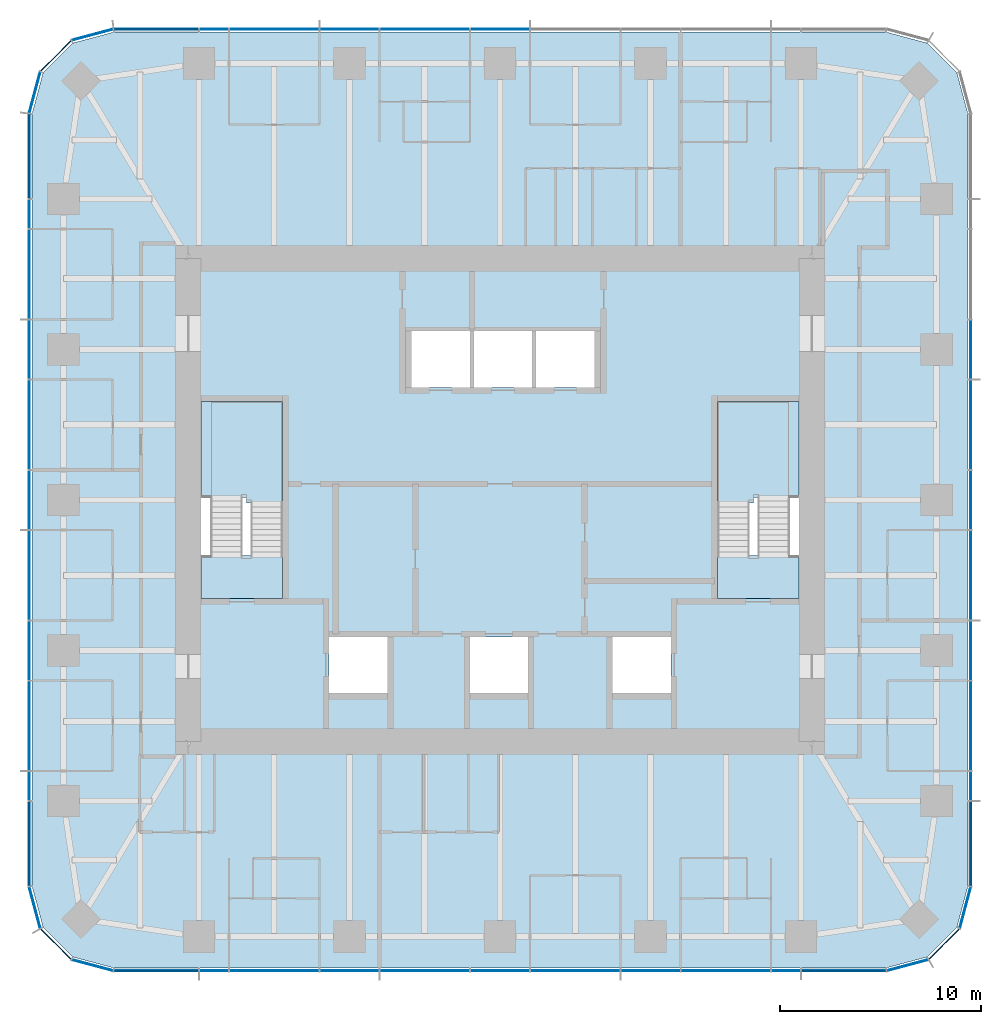
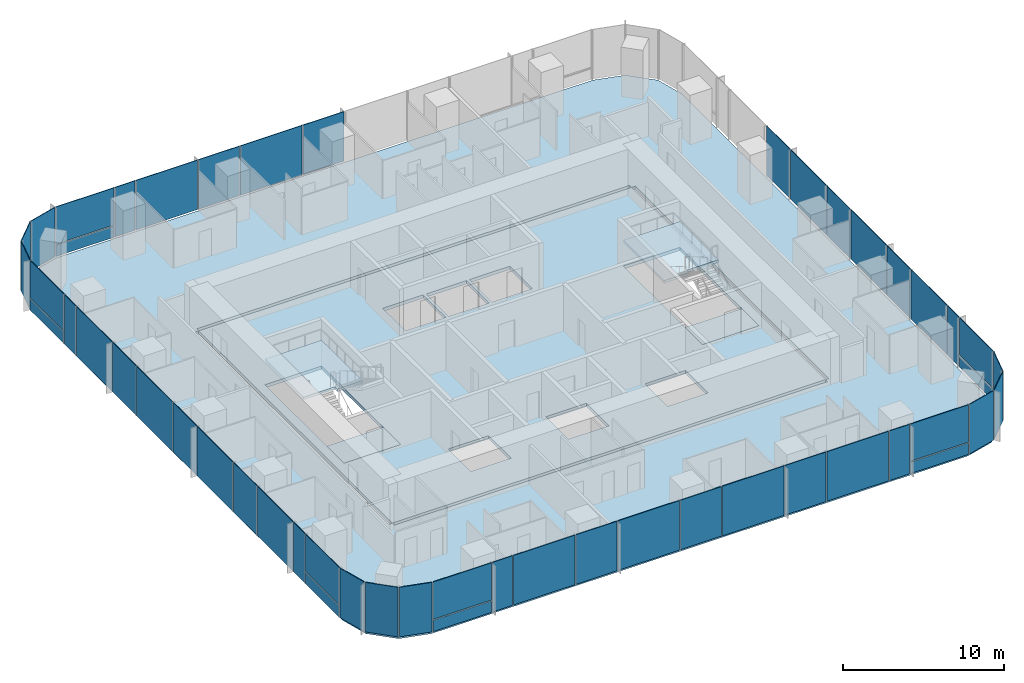
# One storey, part 7 of 12: 51 plates, 6 slabs, 9 elements without a shape of their own.
"""IFC4 building model written with IfcOpenShell, lengths in metres."""

from ifc_helpers import new_model, si_unit, direction, frame, origin, origin_2d, place, context, subcontext, project, spatial, polyline, rectangle, outline, extrude, material, layer, layer_set, type_object, element, aggregate, save


model = new_model("IFC4")

# Units and contexts
model_context = context("Model", 3, precision=1e-05, world=origin(), true_north=direction((0.0, 1.0)))
body_context = subcontext(model_context, "Body", "Model", "MODEL_VIEW")
ifc_project = project(units=[si_unit("LENGTHUNIT", "METRE"), si_unit("AREAUNIT", "SQUARE_METRE"), si_unit("VOLUMEUNIT", "CUBIC_METRE"), si_unit("PLANEANGLEUNIT", "RADIAN"), si_unit("MASSUNIT", "GRAM", prefix="KILO")], contexts=[model_context])

# Site, building, storey
site_placement = place(None, origin())
site = spatial("IfcSite", under=ifc_project, at=site_placement, CompositionType="ELEMENT")
building_placement = place(site_placement, origin())
building = spatial("IfcBuilding", under=site, at=building_placement, Name="Khuree Lantern Residences", CompositionType="ELEMENT")
storey_placement = place(building_placement, frame((0.0, 0.0, 319.5)))
storey = spatial("IfcBuildingStorey", under=building, at=storey_placement, Name="L80", CompositionType="ELEMENT", Elevation=319.5)

# Slab
ifc_material_1 = material(Name="Concrete C35/45", Category="concrete")
ifc_layer_1 = layer(ifc_material_1, 0.25)
ifc_layer_set_1 = layer_set([ifc_layer_1], Name="CFL250 CORE FLOOR SLAB 250")
slab_type_1 = type_object("IfcSlabType", Name="CFL250 CORE FLOOR SLAB 250", PredefinedType="FLOOR", material=ifc_layer_set_1)
slab_1_placement = place(storey_placement, frame((0.0, 0.0, -0.25)))
element("IfcSlab", 1, at=slab_1_placement, inside=storey, type_object=slab_type_1, Name="Core floor L80", PredefinedType="FLOOR", context=body_context, shape_type="SweptSolid", body=[
    extrude(outline(polyline([(-15.5, -12.0), (-15.5, 12.0), (15.5, 12.0), (15.5, -12.0), (-15.5, -12.0)]), holes=[polyline([(10.800048828125, 4.89990234375), (10.800048828125, -4.89990234375), (14.85009765625, -4.89990234375), (14.85009765625, 4.89990234375), (10.800048828125, 4.89990234375)]), polyline([(5.60009765625, -6.800048828125), (5.60009765625, -9.60009765625), (8.5, -9.60009765625), (8.5, -6.800048828125), (5.60009765625, -6.800048828125)]), polyline([(1.800048828125, 8.39990234375), (1.800048828125, 5.60009765625), (4.699951171875, 5.60009765625), (4.699951171875, 8.39990234375), (1.800048828125, 8.39990234375)]), polyline([(-1.300048828125, 8.39990234375), (-1.300048828125, 5.60009765625), (1.60009765625, 5.60009765625), (1.60009765625, 8.39990234375), (-1.300048828125, 8.39990234375)]), polyline([(-1.5, -6.800048828125), (-1.5, -9.60009765625), (1.39990234375, -9.60009765625), (1.39990234375, -6.800048828125), (-1.5, -6.800048828125)]), polyline([(-4.39990234375, 8.39990234375), (-4.39990234375, 5.60009765625), (-1.5, 5.60009765625), (-1.5, 8.39990234375), (-4.39990234375, 8.39990234375)]), polyline([(-8.5, -6.800048828125), (-8.5, -9.60009765625), (-5.60009765625, -9.60009765625), (-5.60009765625, -6.800048828125), (-8.5, -6.800048828125)]), polyline([(-14.85009765625, 4.89990234375), (-14.85009765625, -4.89990234375), (-10.800048828125, -4.89990234375), (-10.800048828125, 4.89990234375), (-14.85009765625, 4.89990234375)])]), origin(), (0.0, 0.0, 1.0), 0.25),
])

# Curtain wall, plates
ifc_material_2 = material(Name="Bronze anodised aluminium", Category="aluminium")
curtain_wall_type_1 = type_object("IfcCurtainWallType", Name="CW-T2 TOWER CORNER CURTAIN WALL", PredefinedType="USERDEFINED", material=ifc_material_2)
curtain_wall_1_placement = place(storey_placement, origin())
curtain_wall_1 = element("IfcCurtainWall", 2, at=curtain_wall_1_placement, inside=storey, type_object=curtain_wall_type_1, Name="L80 SOUTH-EAST CORNER CURTAIN WALL", ObjectType="Faceted corner curtain wall", PredefinedType="USERDEFINED")
ifc_material_3 = material(Name="Bronze tinted triple glazing", Category="glass")
ifc_layer_2 = layer(ifc_material_3, 0.048095703125)
ifc_layer_set_2 = layer_set([ifc_layer_2], Name="FACET PANEL P4")
plate_type_1 = type_object("IfcPlateType", Name="FACET PANEL P4", PredefinedType="CURTAIN_PANEL", material=ifc_layer_set_2)
plate_1_placement = place(storey_placement, frame((20.248046875, -23.119140625, 0.0), z_axis=(0.0, 0.0, 1.0), x_axis=(0.965925861257, 0.2588189146, 0.0)))
plate_1 = element("IfcPlate", 3, at=plate_1_placement, type_object=plate_type_1, Name="L80 SOUTH-EAST CORNER PANEL 1.1", PredefinedType="CURTAIN_PANEL", context=body_context, shape_type="SweptSolid", body=[
    extrude(rectangle(XDim=2.09814453125, YDim=0.048095703125, at=origin_2d()), origin(), (0.0, 0.0, 1.0), 3.75),
])
plate_2_placement = place(storey_placement, frame((22.068603515625, -22.068603515625, 0.0), z_axis=(0.0, 0.0, 1.0), x_axis=(0.707106781187, 0.707106781187, 0.0)))
plate_2 = element("IfcPlate", 4, at=plate_2_placement, type_object=plate_type_1, Name="L80 SOUTH-EAST CORNER PANEL 2.1", PredefinedType="CURTAIN_PANEL", context=body_context, shape_type="SweptSolid", body=[
    extrude(rectangle(XDim=2.093994140625, YDim=0.048095703125, at=origin_2d()), origin(), (0.0, 0.0, 1.0), 3.75),
])
plate_3_placement = place(storey_placement, frame((23.119140625, -20.248046875, 0.0), z_axis=(0.0, 0.0, 1.0), x_axis=(0.2588189146, 0.965925861257, 0.0)))
plate_3 = element("IfcPlate", 5, at=plate_3_placement, type_object=plate_type_1, Name="L80 SOUTH-EAST CORNER PANEL 3.1", PredefinedType="CURTAIN_PANEL", context=body_context, shape_type="SweptSolid", body=[
    extrude(rectangle(XDim=2.09814453125, YDim=0.048095703125, at=origin_2d()), origin(), (0.0, 0.0, 1.0), 3.75),
])
aggregate(curtain_wall_1, [plate_1, plate_2, plate_3])

curtain_wall_2_placement = place(storey_placement, origin())
curtain_wall_2 = element("IfcCurtainWall", 6, at=curtain_wall_2_placement, inside=storey, type_object=curtain_wall_type_1, Name="L80 NORTH-WEST CORNER CURTAIN WALL", ObjectType="Faceted corner curtain wall", PredefinedType="USERDEFINED")
plate_4_placement = place(storey_placement, frame((-20.248046875, 23.119140625, 0.0), z_axis=(0.0, 0.0, 1.0), x_axis=(-0.965925861257, -0.2588189146, 0.0)))
plate_4 = element("IfcPlate", 7, at=plate_4_placement, type_object=plate_type_1, Name="L80 NORTH-WEST CORNER PANEL 29.1", PredefinedType="CURTAIN_PANEL", context=body_context, shape_type="SweptSolid", body=[
    extrude(rectangle(XDim=2.09814453125, YDim=0.048095703125, at=origin_2d()), origin(), (0.0, 0.0, 1.0), 3.75),
])
plate_5_placement = place(storey_placement, frame((-22.068603515625, 22.068603515625, 0.0), z_axis=(0.0, 0.0, 1.0), x_axis=(-0.707106781187, -0.707106781187, 0.0)))
plate_5 = element("IfcPlate", 8, at=plate_5_placement, type_object=plate_type_1, Name="L80 NORTH-WEST CORNER PANEL 30.1", PredefinedType="CURTAIN_PANEL", context=body_context, shape_type="SweptSolid", body=[
    extrude(rectangle(XDim=2.093994140625, YDim=0.048095703125, at=origin_2d()), origin(), (0.0, 0.0, 1.0), 3.75),
])
plate_6_placement = place(storey_placement, frame((-23.119140625, 20.248046875, 0.0), z_axis=(0.0, 0.0, 1.0), x_axis=(-0.2588189146, -0.965925861257, 0.0)))
plate_6 = element("IfcPlate", 9, at=plate_6_placement, type_object=plate_type_1, Name="L80 NORTH-WEST CORNER PANEL 31.1", PredefinedType="CURTAIN_PANEL", context=body_context, shape_type="SweptSolid", body=[
    extrude(rectangle(XDim=2.09814453125, YDim=0.048095703125, at=origin_2d()), origin(), (0.0, 0.0, 1.0), 3.75),
])
aggregate(curtain_wall_2, [plate_4, plate_5, plate_6])

curtain_wall_3_placement = place(storey_placement, origin())
curtain_wall_3 = element("IfcCurtainWall", 10, at=curtain_wall_3_placement, inside=storey, type_object=curtain_wall_type_1, Name="L80 SOUTH-WEST CORNER CURTAIN WALL", ObjectType="Faceted corner curtain wall", PredefinedType="USERDEFINED")
plate_7_placement = place(storey_placement, frame((-23.119140625, -20.248046875, 0.0), z_axis=(0.0, 0.0, 1.0), x_axis=(0.2588189146, -0.965925861257, 0.0)))
plate_7 = element("IfcPlate", 11, at=plate_7_placement, type_object=plate_type_1, Name="L80 SOUTH-WEST CORNER PANEL 43.1", PredefinedType="CURTAIN_PANEL", context=body_context, shape_type="SweptSolid", body=[
    extrude(rectangle(XDim=2.09814453125, YDim=0.048095703125, at=origin_2d()), origin(), (0.0, 0.0, 1.0), 3.75),
])
plate_8_placement = place(storey_placement, frame((-22.068603515625, -22.068603515625, 0.0), z_axis=(0.0, 0.0, 1.0), x_axis=(0.707106781187, -0.707106781187, 0.0)))
plate_8 = element("IfcPlate", 12, at=plate_8_placement, type_object=plate_type_1, Name="L80 SOUTH-WEST CORNER PANEL 44.1", PredefinedType="CURTAIN_PANEL", context=body_context, shape_type="SweptSolid", body=[
    extrude(rectangle(XDim=2.093994140625, YDim=0.048095703125, at=origin_2d()), origin(), (0.0, 0.0, 1.0), 3.75),
])
plate_9_placement = place(storey_placement, frame((-20.248046875, -23.119140625, 0.0), z_axis=(0.0, 0.0, 1.0), x_axis=(0.965925861257, -0.2588189146, 0.0)))
plate_9 = element("IfcPlate", 13, at=plate_9_placement, type_object=plate_type_1, Name="L80 SOUTH-WEST CORNER PANEL 45.1", PredefinedType="CURTAIN_PANEL", context=body_context, shape_type="SweptSolid", body=[
    extrude(rectangle(XDim=2.09814453125, YDim=0.048095703125, at=origin_2d()), origin(), (0.0, 0.0, 1.0), 3.75),
])
aggregate(curtain_wall_3, [plate_7, plate_8, plate_9])

curtain_wall_type_2 = type_object("IfcCurtainWallType", Name="CW-T1 TOWER FACE CURTAIN WALL", PredefinedType="USERDEFINED", material=ifc_material_2)
curtain_wall_4_placement = place(storey_placement, origin())
curtain_wall_4 = element("IfcCurtainWall", 14, at=curtain_wall_4_placement, inside=storey, type_object=curtain_wall_type_2, Name="L80 EAST FACE CURTAIN WALL", ObjectType="Stick-built curtain wall", PredefinedType="USERDEFINED")
ifc_material_4 = material(Name="Bronze tinted triple glazing with a ceramic-fritted spandrel band", Category="glass")
ifc_layer_3 = layer(ifc_material_4, 0.048095703125)
ifc_layer_set_3 = layer_set([ifc_layer_3], Name="FIXED LIGHT PANEL P11")
plate_type_2 = type_object("IfcPlateType", Name="FIXED LIGHT PANEL P11", PredefinedType="CURTAIN_PANEL", material=ifc_layer_set_3)
plate_10_placement = place(storey_placement, frame((23.39990234375, -11.219970703125, 0.0), z_axis=(0.0, 0.0, 1.0), x_axis=(0.0, 1.0, 0.0)))
plate_10 = element("IfcPlate", 15, at=plate_10_placement, type_object=plate_type_2, Name="L80 EAST FACE PANEL 6.1", PredefinedType="CURTAIN_PANEL", context=body_context, shape_type="SweptSolid", body=[
    extrude(rectangle(XDim=4.423095703125, YDim=0.048095703125, at=origin_2d()), origin(), (0.0, 0.0, 1.0), 3.75),
])
plate_11_placement = place(storey_placement, frame((23.39990234375, -3.739990234375, 0.0), z_axis=(0.0, 0.0, 1.0), x_axis=(0.0, 1.0, 0.0)))
plate_11 = element("IfcPlate", 16, at=plate_11_placement, type_object=plate_type_2, Name="L80 EAST FACE PANEL 8.1", PredefinedType="CURTAIN_PANEL", context=body_context, shape_type="SweptSolid", body=[
    extrude(rectangle(XDim=4.423095703125, YDim=0.048095703125, at=origin_2d()), origin(), (0.0, 0.0, 1.0), 3.75),
])
plate_12_placement = place(storey_placement, frame((23.39990234375, 3.739990234375, 0.0), z_axis=(0.0, 0.0, 1.0), x_axis=(0.0, 1.0, 0.0)))
plate_12 = element("IfcPlate", 17, at=plate_12_placement, type_object=plate_type_2, Name="L80 EAST FACE PANEL 10.1", PredefinedType="CURTAIN_PANEL", context=body_context, shape_type="SweptSolid", body=[
    extrude(rectangle(XDim=4.423095703125, YDim=0.048095703125, at=origin_2d()), origin(), (0.0, 0.0, 1.0), 3.75),
])

curtain_wall_5_placement = place(storey_placement, origin())
curtain_wall_5 = element("IfcCurtainWall", 18, at=curtain_wall_5_placement, inside=storey, type_object=curtain_wall_type_2, Name="L80 NORTH FACE CURTAIN WALL", ObjectType="Stick-built curtain wall", PredefinedType="USERDEFINED")
plate_13_placement = place(storey_placement, frame((-3.739990234375, 23.39990234375, 0.0), z_axis=(0.0, 0.0, 1.0), x_axis=(-1.0, 0.0, 0.0)))
plate_13 = element("IfcPlate", 19, at=plate_13_placement, type_object=plate_type_2, Name="L80 NORTH FACE PANEL 24.1", PredefinedType="CURTAIN_PANEL", context=body_context, shape_type="SweptSolid", body=[
    extrude(rectangle(XDim=4.423095703125, YDim=0.048095703125, at=origin_2d()), origin(), (0.0, 0.0, 1.0), 3.75),
])
plate_14_placement = place(storey_placement, frame((-11.219970703125, 23.39990234375, 0.0), z_axis=(0.0, 0.0, 1.0), x_axis=(-1.0, 0.0, 0.0)))
plate_14 = element("IfcPlate", 20, at=plate_14_placement, type_object=plate_type_2, Name="L80 NORTH FACE PANEL 26.1", PredefinedType="CURTAIN_PANEL", context=body_context, shape_type="SweptSolid", body=[
    extrude(rectangle(XDim=4.423095703125, YDim=0.048095703125, at=origin_2d()), origin(), (0.0, 0.0, 1.0), 3.75),
])

curtain_wall_6_placement = place(storey_placement, origin())
curtain_wall_6 = element("IfcCurtainWall", 21, at=curtain_wall_6_placement, inside=storey, type_object=curtain_wall_type_2, Name="L80 WEST FACE CURTAIN WALL", ObjectType="Stick-built curtain wall", PredefinedType="USERDEFINED")
plate_15_placement = place(storey_placement, frame((-23.39990234375, 11.219970703125, 0.0), z_axis=(0.0, 0.0, 1.0), x_axis=(0.0, -1.0, 0.0)))
plate_15 = element("IfcPlate", 22, at=plate_15_placement, type_object=plate_type_2, Name="L80 WEST FACE PANEL 34.1", PredefinedType="CURTAIN_PANEL", context=body_context, shape_type="SweptSolid", body=[
    extrude(rectangle(XDim=4.423095703125, YDim=0.048095703125, at=origin_2d()), origin(), (0.0, 0.0, 1.0), 3.75),
])
plate_16_placement = place(storey_placement, frame((-23.39990234375, 3.739990234375, 0.0), z_axis=(0.0, 0.0, 1.0), x_axis=(0.0, -1.0, 0.0)))
plate_16 = element("IfcPlate", 23, at=plate_16_placement, type_object=plate_type_2, Name="L80 WEST FACE PANEL 36.1", PredefinedType="CURTAIN_PANEL", context=body_context, shape_type="SweptSolid", body=[
    extrude(rectangle(XDim=4.423095703125, YDim=0.048095703125, at=origin_2d()), origin(), (0.0, 0.0, 1.0), 3.75),
])
plate_17_placement = place(storey_placement, frame((-23.39990234375, -3.739990234375, 0.0), z_axis=(0.0, 0.0, 1.0), x_axis=(0.0, -1.0, 0.0)))
plate_17 = element("IfcPlate", 24, at=plate_17_placement, type_object=plate_type_2, Name="L80 WEST FACE PANEL 38.1", PredefinedType="CURTAIN_PANEL", context=body_context, shape_type="SweptSolid", body=[
    extrude(rectangle(XDim=4.423095703125, YDim=0.048095703125, at=origin_2d()), origin(), (0.0, 0.0, 1.0), 3.75),
])
plate_18_placement = place(storey_placement, frame((-23.39990234375, -11.219970703125, 0.0), z_axis=(0.0, 0.0, 1.0), x_axis=(0.0, -1.0, 0.0)))
plate_18 = element("IfcPlate", 25, at=plate_18_placement, type_object=plate_type_2, Name="L80 WEST FACE PANEL 40.1", PredefinedType="CURTAIN_PANEL", context=body_context, shape_type="SweptSolid", body=[
    extrude(rectangle(XDim=4.423095703125, YDim=0.048095703125, at=origin_2d()), origin(), (0.0, 0.0, 1.0), 3.75),
])

curtain_wall_7_placement = place(storey_placement, origin())
curtain_wall_7 = element("IfcCurtainWall", 26, at=curtain_wall_7_placement, inside=storey, type_object=curtain_wall_type_2, Name="L80 SOUTH FACE CURTAIN WALL", ObjectType="Stick-built curtain wall", PredefinedType="USERDEFINED")
plate_19_placement = place(storey_placement, frame((-11.219970703125, -23.39990234375, 0.0), z_axis=(0.0, 0.0, 1.0), x_axis=(1.0, 0.0, 0.0)))
plate_19 = element("IfcPlate", 27, at=plate_19_placement, type_object=plate_type_2, Name="L80 SOUTH FACE PANEL 48.1", PredefinedType="CURTAIN_PANEL", context=body_context, shape_type="SweptSolid", body=[
    extrude(rectangle(XDim=4.423095703125, YDim=0.048095703125, at=origin_2d()), origin(), (0.0, 0.0, 1.0), 3.75),
])
plate_20_placement = place(storey_placement, frame((-3.739990234375, -23.39990234375, 0.0), z_axis=(0.0, 0.0, 1.0), x_axis=(1.0, 0.0, 0.0)))
plate_20 = element("IfcPlate", 28, at=plate_20_placement, type_object=plate_type_2, Name="L80 SOUTH FACE PANEL 50.1", PredefinedType="CURTAIN_PANEL", context=body_context, shape_type="SweptSolid", body=[
    extrude(rectangle(XDim=4.423095703125, YDim=0.048095703125, at=origin_2d()), origin(), (0.0, 0.0, 1.0), 3.75),
])
plate_21_placement = place(storey_placement, frame((3.739990234375, -23.39990234375, 0.0), z_axis=(0.0, 0.0, 1.0), x_axis=(1.0, 0.0, 0.0)))
plate_21 = element("IfcPlate", 29, at=plate_21_placement, type_object=plate_type_2, Name="L80 SOUTH FACE PANEL 52.1", PredefinedType="CURTAIN_PANEL", context=body_context, shape_type="SweptSolid", body=[
    extrude(rectangle(XDim=4.423095703125, YDim=0.048095703125, at=origin_2d()), origin(), (0.0, 0.0, 1.0), 3.75),
])
plate_22_placement = place(storey_placement, frame((11.219970703125, -23.39990234375, 0.0), z_axis=(0.0, 0.0, 1.0), x_axis=(1.0, 0.0, 0.0)))
plate_22 = element("IfcPlate", 30, at=plate_22_placement, type_object=plate_type_2, Name="L80 SOUTH FACE PANEL 54.1", PredefinedType="CURTAIN_PANEL", context=body_context, shape_type="SweptSolid", body=[
    extrude(rectangle(XDim=4.423095703125, YDim=0.048095703125, at=origin_2d()), origin(), (0.0, 0.0, 1.0), 3.75),
])

# Slab
ifc_layer_4 = layer(ifc_material_1, 0.25)
ifc_layer_set_4 = layer_set([ifc_layer_4], Name="FS250 FLOOR SLAB 250")
slab_type_2 = type_object("IfcSlabType", Name="FS250 FLOOR SLAB 250", PredefinedType="FLOOR", material=ifc_layer_set_4)
slab_2_placement = place(storey_placement, frame((0.0, 0.0, -0.25)))
element("IfcSlab", 31, at=slab_2_placement, inside=storey, type_object=slab_type_2, Name="Floor slab L80", PredefinedType="FLOOR", context=body_context, shape_type="SweptSolid", body=[
    extrude(outline(polyline([(-21.22509765625, -22.70751953125), (-22.70751953125, -21.22509765625), (-23.25, -19.199951171875), (-23.25, 19.199951171875), (-22.70751953125, 21.22509765625), (-21.22509765625, 22.70751953125), (-19.199951171875, 23.25), (19.199951171875, 23.25), (21.22509765625, 22.70751953125), (22.70751953125, 21.22509765625), (23.25, 19.199951171875), (23.25, -19.199951171875), (22.70751953125, -21.22509765625), (21.22509765625, -22.70751953125), (19.199951171875, -23.25), (-19.199951171875, -23.25), (-21.22509765625, -22.70751953125)]), holes=[polyline([(15.75, 12.0), (15.5, 12.0), (15.5, 12.25), (-15.5, 12.25), (-15.5, 12.0), (-15.75, 12.0), (-15.75, -12.0), (-15.5, -12.0), (-15.5, -12.25), (15.5, -12.25), (15.5, -12.0), (15.75, -12.0), (15.75, 12.0)])]), origin(), (0.0, 0.0, 1.0), 0.25),
])

# Plate
ifc_material_5 = material(Name="Bronze tinted triple glazing, two aluminium-framed sashes in one frame", Category="aluminium")
ifc_layer_5 = layer(ifc_material_5, 0.048095703125)
ifc_layer_set_5 = layer_set([ifc_layer_5], Name="SASH PAIR PANEL P12")
plate_type_3 = type_object("IfcPlateType", Name="SASH PAIR PANEL P12", PredefinedType="CURTAIN_PANEL", material=ifc_layer_set_5)
plate_23_placement = place(storey_placement, frame((23.39990234375, -7.47998046875, 0.0), z_axis=(0.0, 0.0, 1.0), x_axis=(0.0, 1.0, 0.0)))
plate_23 = element("IfcPlate", 32, at=plate_23_placement, type_object=plate_type_3, Name="L80 EAST FACE PANEL 7.1", PredefinedType="CURTAIN_PANEL", context=body_context, shape_type="SweptSolid", body=[
    extrude(rectangle(XDim=2.927001953125, YDim=0.048095703125, at=origin_2d()), origin(), (0.0, 0.0, 1.0), 3.75),
])

plate_24_placement = place(storey_placement, frame((23.39990234375, 0.0, 0.0), z_axis=(0.0, 0.0, 1.0), x_axis=(0.0, 1.0, 0.0)))
plate_24 = element("IfcPlate", 33, at=plate_24_placement, type_object=plate_type_3, Name="L80 EAST FACE PANEL 9.1", PredefinedType="CURTAIN_PANEL", context=body_context, shape_type="SweptSolid", body=[
    extrude(rectangle(XDim=2.927001953125, YDim=0.048095703125, at=origin_2d()), origin(), (0.0, 0.0, 1.0), 3.75),
])

plate_25_placement = place(storey_placement, frame((23.39990234375, 7.47998046875, 0.0), z_axis=(0.0, 0.0, 1.0), x_axis=(0.0, 1.0, 0.0)))
plate_25 = element("IfcPlate", 34, at=plate_25_placement, type_object=plate_type_3, Name="L80 EAST FACE PANEL 11.1", PredefinedType="CURTAIN_PANEL", context=body_context, shape_type="SweptSolid", body=[
    extrude(rectangle(XDim=2.927001953125, YDim=0.048095703125, at=origin_2d()), origin(), (0.0, 0.0, 1.0), 3.75),
])

plate_26_placement = place(storey_placement, frame((0.0, 23.39990234375, 0.0), z_axis=(0.0, 0.0, 1.0), x_axis=(-1.0, 0.0, 0.0)))
plate_26 = element("IfcPlate", 35, at=plate_26_placement, type_object=plate_type_3, Name="L80 NORTH FACE PANEL 23.1", PredefinedType="CURTAIN_PANEL", context=body_context, shape_type="SweptSolid", body=[
    extrude(rectangle(XDim=2.927001953125, YDim=0.048095703125, at=origin_2d()), origin(), (0.0, 0.0, 1.0), 3.75),
])

plate_27_placement = place(storey_placement, frame((-7.47998046875, 23.39990234375, 0.0), z_axis=(0.0, 0.0, 1.0), x_axis=(-1.0, 0.0, 0.0)))
plate_27 = element("IfcPlate", 36, at=plate_27_placement, type_object=plate_type_3, Name="L80 NORTH FACE PANEL 25.1", PredefinedType="CURTAIN_PANEL", context=body_context, shape_type="SweptSolid", body=[
    extrude(rectangle(XDim=2.927001953125, YDim=0.048095703125, at=origin_2d()), origin(), (0.0, 0.0, 1.0), 3.75),
])

plate_28_placement = place(storey_placement, frame((-23.39990234375, 7.47998046875, 0.0), z_axis=(0.0, 0.0, 1.0), x_axis=(0.0, -1.0, 0.0)))
plate_28 = element("IfcPlate", 37, at=plate_28_placement, type_object=plate_type_3, Name="L80 WEST FACE PANEL 35.1", PredefinedType="CURTAIN_PANEL", context=body_context, shape_type="SweptSolid", body=[
    extrude(rectangle(XDim=2.927001953125, YDim=0.048095703125, at=origin_2d()), origin(), (0.0, 0.0, 1.0), 3.75),
])

plate_29_placement = place(storey_placement, frame((-23.39990234375, 0.0, 0.0), z_axis=(0.0, 0.0, 1.0), x_axis=(0.0, -1.0, 0.0)))
plate_29 = element("IfcPlate", 38, at=plate_29_placement, type_object=plate_type_3, Name="L80 WEST FACE PANEL 37.1", PredefinedType="CURTAIN_PANEL", context=body_context, shape_type="SweptSolid", body=[
    extrude(rectangle(XDim=2.927001953125, YDim=0.048095703125, at=origin_2d()), origin(), (0.0, 0.0, 1.0), 3.75),
])

plate_30_placement = place(storey_placement, frame((-23.39990234375, -7.47998046875, 0.0), z_axis=(0.0, 0.0, 1.0), x_axis=(0.0, -1.0, 0.0)))
plate_30 = element("IfcPlate", 39, at=plate_30_placement, type_object=plate_type_3, Name="L80 WEST FACE PANEL 39.1", PredefinedType="CURTAIN_PANEL", context=body_context, shape_type="SweptSolid", body=[
    extrude(rectangle(XDim=2.927001953125, YDim=0.048095703125, at=origin_2d()), origin(), (0.0, 0.0, 1.0), 3.75),
])

plate_31_placement = place(storey_placement, frame((-7.47998046875, -23.39990234375, 0.0), z_axis=(0.0, 0.0, 1.0), x_axis=(1.0, 0.0, 0.0)))
plate_31 = element("IfcPlate", 40, at=plate_31_placement, type_object=plate_type_3, Name="L80 SOUTH FACE PANEL 49.1", PredefinedType="CURTAIN_PANEL", context=body_context, shape_type="SweptSolid", body=[
    extrude(rectangle(XDim=2.927001953125, YDim=0.048095703125, at=origin_2d()), origin(), (0.0, 0.0, 1.0), 3.75),
])

plate_32_placement = place(storey_placement, frame((0.0, -23.39990234375, 0.0), z_axis=(0.0, 0.0, 1.0), x_axis=(1.0, 0.0, 0.0)))
plate_32 = element("IfcPlate", 41, at=plate_32_placement, type_object=plate_type_3, Name="L80 SOUTH FACE PANEL 51.1", PredefinedType="CURTAIN_PANEL", context=body_context, shape_type="SweptSolid", body=[
    extrude(rectangle(XDim=2.927001953125, YDim=0.048095703125, at=origin_2d()), origin(), (0.0, 0.0, 1.0), 3.75),
])

plate_33_placement = place(storey_placement, frame((7.47998046875, -23.39990234375, 0.0), z_axis=(0.0, 0.0, 1.0), x_axis=(1.0, 0.0, 0.0)))
plate_33 = element("IfcPlate", 42, at=plate_33_placement, type_object=plate_type_3, Name="L80 SOUTH FACE PANEL 53.1", PredefinedType="CURTAIN_PANEL", context=body_context, shape_type="SweptSolid", body=[
    extrude(rectangle(XDim=2.927001953125, YDim=0.048095703125, at=origin_2d()), origin(), (0.0, 0.0, 1.0), 3.75),
])

ifc_material_6 = material(Name="Bronze tinted triple glazing, aluminium-framed sash", Category="aluminium")
ifc_layer_6 = layer(ifc_material_6, 0.048095703125)
ifc_layer_set_6 = layer_set([ifc_layer_6], Name="SASH PANEL P3")
plate_type_4 = type_object("IfcPlateType", Name="SASH PANEL P3", PredefinedType="CURTAIN_PANEL", material=ifc_layer_set_6)
plate_34_placement = place(storey_placement, frame((23.39990234375, -14.2119140625, 0.0), z_axis=(0.0, 0.0, 1.0), x_axis=(0.0, 1.0, 0.0)))
plate_34 = element("IfcPlate", 43, at=plate_34_placement, type_object=plate_type_4, Name="L80 EAST FACE PANEL 5.1", PredefinedType="CURTAIN_PANEL", context=body_context, shape_type="SweptSolid", body=[
    extrude(rectangle(XDim=1.430908203125, YDim=0.048095703125, at=origin_2d()), origin(), (0.0, 0.0, 1.0), 3.75),
])

plate_35_placement = place(storey_placement, frame((-14.2119140625, 23.39990234375, 0.0), z_axis=(0.0, 0.0, 1.0), x_axis=(-1.0, 0.0, 0.0)))
plate_35 = element("IfcPlate", 44, at=plate_35_placement, type_object=plate_type_4, Name="L80 NORTH FACE PANEL 27.1", PredefinedType="CURTAIN_PANEL", context=body_context, shape_type="SweptSolid", body=[
    extrude(rectangle(XDim=1.430908203125, YDim=0.048095703125, at=origin_2d()), origin(), (0.0, 0.0, 1.0), 3.75),
])

plate_36_placement = place(storey_placement, frame((-23.39990234375, 14.2119140625, 0.0), z_axis=(0.0, 0.0, 1.0), x_axis=(0.0, -1.0, 0.0)))
plate_36 = element("IfcPlate", 45, at=plate_36_placement, type_object=plate_type_4, Name="L80 WEST FACE PANEL 33.1", PredefinedType="CURTAIN_PANEL", context=body_context, shape_type="SweptSolid", body=[
    extrude(rectangle(XDim=1.430908203125, YDim=0.048095703125, at=origin_2d()), origin(), (0.0, 0.0, 1.0), 3.75),
])

plate_37_placement = place(storey_placement, frame((-23.39990234375, -14.2119140625, 0.0), z_axis=(0.0, 0.0, 1.0), x_axis=(0.0, -1.0, 0.0)))
plate_37 = element("IfcPlate", 46, at=plate_37_placement, type_object=plate_type_4, Name="L80 WEST FACE PANEL 41.1", PredefinedType="CURTAIN_PANEL", context=body_context, shape_type="SweptSolid", body=[
    extrude(rectangle(XDim=1.430908203125, YDim=0.048095703125, at=origin_2d()), origin(), (0.0, 0.0, 1.0), 3.75),
])

plate_38_placement = place(storey_placement, frame((-14.2119140625, -23.39990234375, 0.0), z_axis=(0.0, 0.0, 1.0), x_axis=(1.0, 0.0, 0.0)))
plate_38 = element("IfcPlate", 47, at=plate_38_placement, type_object=plate_type_4, Name="L80 SOUTH FACE PANEL 47.1", PredefinedType="CURTAIN_PANEL", context=body_context, shape_type="SweptSolid", body=[
    extrude(rectangle(XDim=1.430908203125, YDim=0.048095703125, at=origin_2d()), origin(), (0.0, 0.0, 1.0), 3.75),
])

plate_39_placement = place(storey_placement, frame((14.2119140625, -23.39990234375, 0.0), z_axis=(0.0, 0.0, 1.0), x_axis=(1.0, 0.0, 0.0)))
plate_39 = element("IfcPlate", 48, at=plate_39_placement, type_object=plate_type_4, Name="L80 SOUTH FACE PANEL 55.1", PredefinedType="CURTAIN_PANEL", context=body_context, shape_type="SweptSolid", body=[
    extrude(rectangle(XDim=1.430908203125, YDim=0.048095703125, at=origin_2d()), origin(), (0.0, 0.0, 1.0), 3.75),
])

ifc_material_7 = material(Name="Bronze anodised aluminium insulated spandrel", Category="aluminium")
ifc_layer_7 = layer(ifc_material_7, 0.06005859375)
ifc_layer_set_7 = layer_set([ifc_layer_7], Name="SPANDREL PANEL P2")
plate_type_5 = type_object("IfcPlateType", Name="SPANDREL PANEL P2", PredefinedType="CURTAIN_PANEL", material=ifc_layer_set_7)
plate_40_placement = place(storey_placement, frame((23.39990234375, -17.077880859375, 0.0), z_axis=(0.0, 0.0, 1.0), x_axis=(0.0, 1.0, 0.0)))
plate_40 = element("IfcPlate", 49, at=plate_40_placement, type_object=plate_type_5, Name="L80 EAST FACE PANEL 4.1", PredefinedType="CURTAIN_PANEL", context=body_context, shape_type="SweptSolid", body=[
    extrude(rectangle(XDim=4.170654296875, YDim=0.06005859375, at=origin_2d()), origin(), (0.0, 0.0, 1.0), 0.867431640625),
])

plate_41_placement = place(storey_placement, frame((-17.077880859375, 23.39990234375, 0.0), z_axis=(0.0, 0.0, 1.0), x_axis=(-1.0, 0.0, 0.0)))
plate_41 = element("IfcPlate", 50, at=plate_41_placement, type_object=plate_type_5, Name="L80 NORTH FACE PANEL 28.1", PredefinedType="CURTAIN_PANEL", context=body_context, shape_type="SweptSolid", body=[
    extrude(rectangle(XDim=4.170654296875, YDim=0.06005859375, at=origin_2d()), origin(), (0.0, 0.0, 1.0), 0.867431640625),
])

plate_42_placement = place(storey_placement, frame((-23.39990234375, 17.077880859375, 0.0), z_axis=(0.0, 0.0, 1.0), x_axis=(0.0, -1.0, 0.0)))
plate_42 = element("IfcPlate", 51, at=plate_42_placement, type_object=plate_type_5, Name="L80 WEST FACE PANEL 32.1", PredefinedType="CURTAIN_PANEL", context=body_context, shape_type="SweptSolid", body=[
    extrude(rectangle(XDim=4.170654296875, YDim=0.06005859375, at=origin_2d()), origin(), (0.0, 0.0, 1.0), 0.867431640625),
])

plate_43_placement = place(storey_placement, frame((-23.39990234375, -17.077880859375, 0.0), z_axis=(0.0, 0.0, 1.0), x_axis=(0.0, -1.0, 0.0)))
plate_43 = element("IfcPlate", 52, at=plate_43_placement, type_object=plate_type_5, Name="L80 WEST FACE PANEL 42.1", PredefinedType="CURTAIN_PANEL", context=body_context, shape_type="SweptSolid", body=[
    extrude(rectangle(XDim=4.170654296875, YDim=0.06005859375, at=origin_2d()), origin(), (0.0, 0.0, 1.0), 0.867431640625),
])

plate_44_placement = place(storey_placement, frame((-17.077880859375, -23.39990234375, 0.0), z_axis=(0.0, 0.0, 1.0), x_axis=(1.0, 0.0, 0.0)))
plate_44 = element("IfcPlate", 53, at=plate_44_placement, type_object=plate_type_5, Name="L80 SOUTH FACE PANEL 46.1", PredefinedType="CURTAIN_PANEL", context=body_context, shape_type="SweptSolid", body=[
    extrude(rectangle(XDim=4.170654296875, YDim=0.06005859375, at=origin_2d()), origin(), (0.0, 0.0, 1.0), 0.867431640625),
])

plate_45_placement = place(storey_placement, frame((17.077880859375, -23.39990234375, 0.0), z_axis=(0.0, 0.0, 1.0), x_axis=(1.0, 0.0, 0.0)))
plate_45 = element("IfcPlate", 54, at=plate_45_placement, type_object=plate_type_5, Name="L80 SOUTH FACE PANEL 56.1", PredefinedType="CURTAIN_PANEL", context=body_context, shape_type="SweptSolid", body=[
    extrude(rectangle(XDim=4.170654296875, YDim=0.06005859375, at=origin_2d()), origin(), (0.0, 0.0, 1.0), 0.867431640625),
])

# Stair, slabs
ifc_material_8 = material(Name="Concrete C40/50", Category="concrete")
stair_type = type_object("IfcStairType", Name="STAIR ST1 HALF TURN 3600", PredefinedType="HALF_TURN_STAIR", material=ifc_material_8)
stair_1_placement = place(storey_placement, origin())
stair_1 = element("IfcStair", 55, at=stair_1_placement, inside=storey, type_object=stair_type, Name="Stair ST1", PredefinedType="HALF_TURN_STAIR")
ifc_layer_8 = layer(ifc_material_8, 0.199951171875)
ifc_layer_set_8 = layer_set([ifc_layer_8], Name="STAIR LANDING SL1 200")
slab_type_3 = type_object("IfcSlabType", Name="STAIR LANDING SL1 200", PredefinedType="LANDING", material=ifc_layer_set_8)
slab_3_placement = place(storey_placement, frame((0.0, 0.0, -0.199951171875)))
slab_3 = element("IfcSlab", 56, at=slab_3_placement, type_object=slab_type_3, Name="ST1 landing 1", PredefinedType="LANDING", context=body_context, shape_type="SweptSolid", body=[
    extrude(outline(polyline([(-14.85009765625, -4.89990234375), (-10.800048828125, -4.89990234375), (-10.800048828125, -2.760009765625), (-14.85009765625, -2.760009765625), (-14.85009765625, -4.89990234375)])), origin(), (0.0, 0.0, 1.0), 0.199951171875),
])
slab_4_placement = place(storey_placement, frame((0.0, 0.0, 1.756591796875)))
slab_4 = element("IfcSlab", 57, at=slab_4_placement, type_object=slab_type_3, Name="ST1 landing 2", PredefinedType="LANDING", context=body_context, shape_type="SweptSolid", body=[
    extrude(outline(polyline([(-14.85009765625, 0.1201171875), (-14.85009765625, 4.89990234375), (-10.800048828125, 4.89990234375), (-10.800048828125, -0.159912109375), (-12.60009765625, -0.159912109375), (-12.60009765625, 0.1201171875), (-14.85009765625, 0.1201171875)])), origin(), (0.0, 0.0, 1.0), 0.199951171875),
])
aggregate(stair_1, [slab_3, slab_4])

stair_2_placement = place(storey_placement, origin())
stair_2 = element("IfcStair", 58, at=stair_2_placement, inside=storey, type_object=stair_type, Name="Stair ST2", PredefinedType="HALF_TURN_STAIR")
slab_5_placement = place(storey_placement, frame((0.0, 0.0, -0.199951171875)))
slab_5 = element("IfcSlab", 59, at=slab_5_placement, type_object=slab_type_3, Name="ST2 landing 1", PredefinedType="LANDING", context=body_context, shape_type="SweptSolid", body=[
    extrude(outline(polyline([(10.800048828125, -4.89990234375), (14.85009765625, -4.89990234375), (14.85009765625, -2.760009765625), (10.800048828125, -2.760009765625), (10.800048828125, -4.89990234375)])), origin(), (0.0, 0.0, 1.0), 0.199951171875),
])
slab_6_placement = place(storey_placement, frame((0.0, 0.0, 1.756591796875)))
slab_6 = element("IfcSlab", 60, at=slab_6_placement, type_object=slab_type_3, Name="ST2 landing 2", PredefinedType="LANDING", context=body_context, shape_type="SweptSolid", body=[
    extrude(outline(polyline([(14.85009765625, 4.89990234375), (14.85009765625, 0.1201171875), (12.60009765625, 0.1201171875), (12.60009765625, -0.159912109375), (10.800048828125, -0.159912109375), (10.800048828125, 4.89990234375), (14.85009765625, 4.89990234375)])), origin(), (0.0, 0.0, 1.0), 0.199951171875),
])
aggregate(stair_2, [slab_5, slab_6])

# Plate
ifc_layer_9 = layer(ifc_material_3, 0.048095703125)
ifc_layer_set_9 = layer_set([ifc_layer_9], Name="VISION PANEL P1")
plate_type_6 = type_object("IfcPlateType", Name="VISION PANEL P1", PredefinedType="CURTAIN_PANEL", material=ifc_layer_set_9)
plate_46_placement = place(storey_placement, frame((23.39990234375, -17.078369140625, 0.9326171875), z_axis=(0.0, 0.0, 1.0), x_axis=(0.0, 1.0, 0.0)))
plate_46 = element("IfcPlate", 61, at=plate_46_placement, type_object=plate_type_6, Name="L80 EAST FACE PANEL 4.2", PredefinedType="CURTAIN_PANEL", context=body_context, shape_type="SweptSolid", body=[
    extrude(rectangle(XDim=4.171630859375, YDim=0.048095703125, at=origin_2d()), origin(), (0.0, 0.0, 1.0), 2.8173828125),
])

aggregate(curtain_wall_4, [plate_40, plate_46, plate_34, plate_10, plate_23, plate_11, plate_24, plate_12, plate_25])

plate_47_placement = place(storey_placement, frame((-17.078369140625, 23.39990234375, 0.9326171875), z_axis=(0.0, 0.0, 1.0), x_axis=(-1.0, 0.0, 0.0)))
plate_47 = element("IfcPlate", 62, at=plate_47_placement, type_object=plate_type_6, Name="L80 NORTH FACE PANEL 28.2", PredefinedType="CURTAIN_PANEL", context=body_context, shape_type="SweptSolid", body=[
    extrude(rectangle(XDim=4.171630859375, YDim=0.048095703125, at=origin_2d()), origin(), (0.0, 0.0, 1.0), 2.8173828125),
])

aggregate(curtain_wall_5, [plate_26, plate_13, plate_27, plate_14, plate_35, plate_41, plate_47])

plate_48_placement = place(storey_placement, frame((-23.39990234375, 17.078369140625, 0.9326171875), z_axis=(0.0, 0.0, 1.0), x_axis=(0.0, -1.0, 0.0)))
plate_48 = element("IfcPlate", 63, at=plate_48_placement, type_object=plate_type_6, Name="L80 WEST FACE PANEL 32.2", PredefinedType="CURTAIN_PANEL", context=body_context, shape_type="SweptSolid", body=[
    extrude(rectangle(XDim=4.171630859375, YDim=0.048095703125, at=origin_2d()), origin(), (0.0, 0.0, 1.0), 2.8173828125),
])

plate_49_placement = place(storey_placement, frame((-23.39990234375, -17.078369140625, 0.9326171875), z_axis=(0.0, 0.0, 1.0), x_axis=(0.0, -1.0, 0.0)))
plate_49 = element("IfcPlate", 64, at=plate_49_placement, type_object=plate_type_6, Name="L80 WEST FACE PANEL 42.2", PredefinedType="CURTAIN_PANEL", context=body_context, shape_type="SweptSolid", body=[
    extrude(rectangle(XDim=4.171630859375, YDim=0.048095703125, at=origin_2d()), origin(), (0.0, 0.0, 1.0), 2.8173828125),
])

aggregate(curtain_wall_6, [plate_42, plate_48, plate_36, plate_15, plate_28, plate_16, plate_29, plate_17, plate_30, plate_18, plate_37, plate_43, plate_49])

plate_50_placement = place(storey_placement, frame((-17.078369140625, -23.39990234375, 0.9326171875), z_axis=(0.0, 0.0, 1.0), x_axis=(1.0, 0.0, 0.0)))
plate_50 = element("IfcPlate", 65, at=plate_50_placement, type_object=plate_type_6, Name="L80 SOUTH FACE PANEL 46.2", PredefinedType="CURTAIN_PANEL", context=body_context, shape_type="SweptSolid", body=[
    extrude(rectangle(XDim=4.171630859375, YDim=0.048095703125, at=origin_2d()), origin(), (0.0, 0.0, 1.0), 2.8173828125),
])

plate_51_placement = place(storey_placement, frame((17.078369140625, -23.39990234375, 0.9326171875), z_axis=(0.0, 0.0, 1.0), x_axis=(1.0, 0.0, 0.0)))
plate_51 = element("IfcPlate", 66, at=plate_51_placement, type_object=plate_type_6, Name="L80 SOUTH FACE PANEL 56.2", PredefinedType="CURTAIN_PANEL", context=body_context, shape_type="SweptSolid", body=[
    extrude(rectangle(XDim=4.171630859375, YDim=0.048095703125, at=origin_2d()), origin(), (0.0, 0.0, 1.0), 2.8173828125),
])

aggregate(curtain_wall_7, [plate_44, plate_50, plate_38, plate_19, plate_31, plate_20, plate_32, plate_21, plate_33, plate_22, plate_39, plate_45, plate_51])

save(model, "model.ifc")
